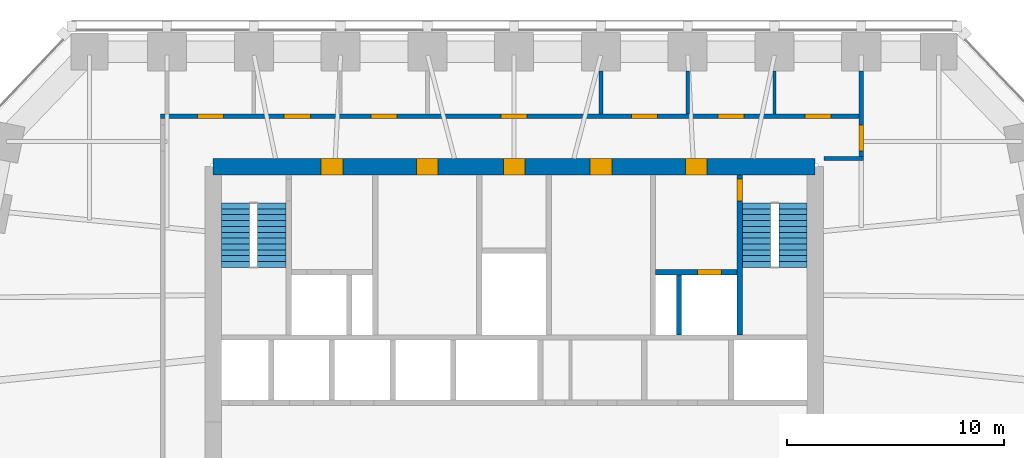
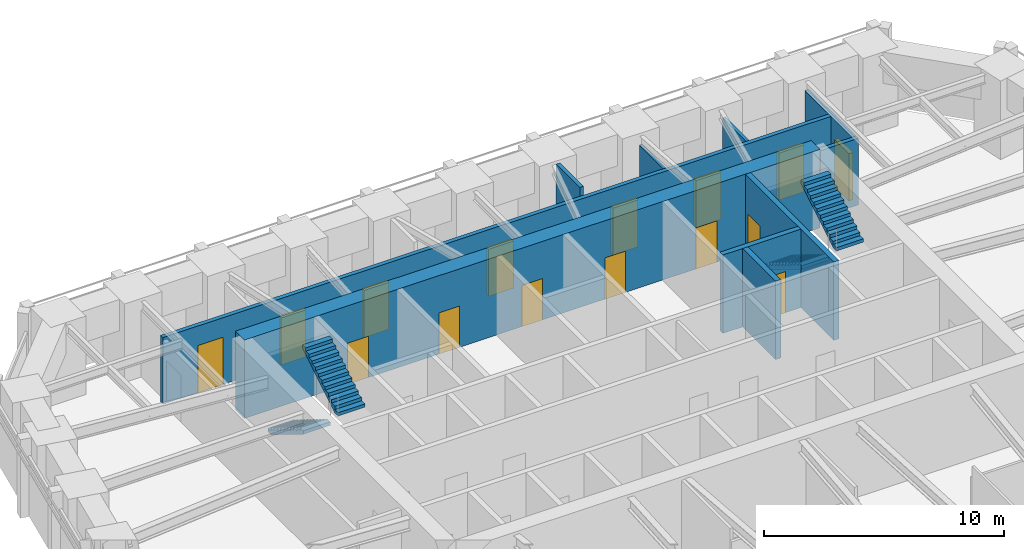
# One storey, part 7 of 9: 15 doors, 10 walls, 4 stair flights, 15 openings, 2 elements without a shape of their own.
"""IFC4 building model written with IfcOpenShell, lengths in metres."""

from ifc_helpers import new_model, si_unit, direction, frame, frame_2d, origin, place, context, subcontext, project, spatial, polyline, rectangle, outline, extrude, material, layer, layer_set, type_object, element, fill, aggregate, save


model = new_model("IFC4")

# Units and contexts
model_context = context("Model", 3, precision=1e-05, world=origin(), true_north=direction((0.0, 1.0)))
body_context = subcontext(model_context, "Body", "Model", "MODEL_VIEW")
ifc_project = project(units=[si_unit("LENGTHUNIT", "METRE"), si_unit("AREAUNIT", "SQUARE_METRE"), si_unit("VOLUMEUNIT", "CUBIC_METRE"), si_unit("PLANEANGLEUNIT", "RADIAN"), si_unit("MASSUNIT", "GRAM", prefix="KILO")], contexts=[model_context])

# Site, building, storey
site_placement = place(None, origin())
site = spatial("IfcSite", under=ifc_project, at=site_placement, CompositionType="ELEMENT")
building_placement = place(site_placement, origin())
building = spatial("IfcBuilding", under=site, at=building_placement, Name="Isbrekke Arena Tower", CompositionType="ELEMENT")
storey_placement = place(building_placement, frame((0.0, 0.0, 135.0)))
storey = spatial("IfcBuildingStorey", under=building, at=storey_placement, Name="L30", CompositionType="ELEMENT", Elevation=135.0)

# Wall, openings, doors
ifc_material_1 = material(Name="Concrete B55 (C55/67)", Category="concrete")
ifc_layer_1 = layer(ifc_material_1, 0.75)
ifc_layer_set_1 = layer_set([ifc_layer_1], Name="CW3 CORE WALL 750")
wall_type_1 = type_object("IfcWallType", Name="CW3 CORE WALL 750", PredefinedType="SHEAR", material=ifc_layer_set_1)
wall_1_placement = place(storey_placement, frame((13.875, 23.875, 0.0), z_axis=(0.0, 0.0, 1.0), x_axis=(-1.0, 0.0, 0.0)))
wall_1 = element("IfcWall", 1, at=wall_1_placement, inside=storey, type_object=wall_type_1, Name="Core wall N L30", PredefinedType="SHEAR", context=body_context, shape_type="SweptSolid", body=[
    extrude(rectangle(XDim=27.75, YDim=0.75, at=frame_2d((13.875, 0.0))), origin(), (0.0, 0.0, 1.0), 4.0),
])
opening_1_placement = place(wall_1_placement, frame((21.77490234375, 0.0, 0.0)))
opening_1 = element("IfcOpeningElement", 2, at=opening_1_placement, cuts=wall_1, Name="Opening D3", PredefinedType="OPENING", context=body_context, shape_type="SweptSolid", body=[
    extrude(rectangle(XDim=1.0, YDim=2.10009765625, at=frame_2d((0.5, 1.050048828125))), frame((0.0, 0.389892578125, 0.0), z_axis=(0.0, -1.0, 0.0), x_axis=(1.0, 0.0, 0.0)), (0.0, 0.0, 1.0), 0.77978515625),
])
opening_2_placement = place(wall_1_placement, frame((4.97509765625, 0.0, 0.0)))
opening_2 = element("IfcOpeningElement", 3, at=opening_2_placement, cuts=wall_1, Name="Opening D3", PredefinedType="OPENING", context=body_context, shape_type="SweptSolid", body=[
    extrude(rectangle(XDim=1.0, YDim=2.10009765625, at=frame_2d((0.5, 1.050048828125))), frame((0.0, 0.389892578125, 0.0), z_axis=(0.0, -1.0, 0.0), x_axis=(1.0, 0.0, 0.0)), (0.0, 0.0, 1.0), 0.77978515625),
])
opening_3_placement = place(wall_1_placement, frame((17.375, 0.0, 0.0)))
opening_3 = element("IfcOpeningElement", 4, at=opening_3_placement, cuts=wall_1, Name="Opening D4", PredefinedType="OPENING", context=body_context, shape_type="SweptSolid", body=[
    extrude(rectangle(XDim=1.0, YDim=2.10009765625, at=frame_2d((0.5, 1.050048828125))), frame((0.0, 0.389892578125, 0.0), z_axis=(0.0, -1.0, 0.0), x_axis=(1.0, 0.0, 0.0)), (0.0, 0.0, 1.0), 0.77978515625),
])
opening_4_placement = place(wall_1_placement, frame((13.375, 0.0, 0.0)))
opening_4 = element("IfcOpeningElement", 5, at=opening_4_placement, cuts=wall_1, Name="Opening D4", PredefinedType="OPENING", context=body_context, shape_type="SweptSolid", body=[
    extrude(rectangle(XDim=1.0, YDim=2.10009765625, at=frame_2d((0.5, 1.050048828125))), frame((0.0, 0.389892578125, 0.0), z_axis=(0.0, -1.0, 0.0), x_axis=(1.0, 0.0, 0.0)), (0.0, 0.0, 1.0), 0.77978515625),
])
opening_5_placement = place(wall_1_placement, frame((9.375, 0.0, 0.0)))
opening_5 = element("IfcOpeningElement", 6, at=opening_5_placement, cuts=wall_1, Name="Opening D4", PredefinedType="OPENING", context=body_context, shape_type="SweptSolid", body=[
    extrude(rectangle(XDim=1.0, YDim=2.10009765625, at=frame_2d((0.5, 1.050048828125))), frame((0.0, 0.389892578125, 0.0), z_axis=(0.0, -1.0, 0.0), x_axis=(1.0, 0.0, 0.0)), (0.0, 0.0, 1.0), 0.77978515625),
])
ifc_material_2 = material(Name="Steel fire door", Category="steel")
door_type_1 = type_object("IfcDoorType", Name="D3 FIRE LOBBY DOOR 1000 x 2100", OperationType="SINGLE_SWING_RIGHT", PredefinedType="DOOR", material=ifc_material_2)
door_1_placement = place(opening_1_placement, origin())
door_1 = element("IfcDoor", 7, at=door_1_placement, inside=storey, type_object=door_type_1, Name="D3 fire-fighting lobby door L30", OperationType="SINGLE_SWING_RIGHT", OverallHeight=2.10009765625, OverallWidth=1.0, PredefinedType="DOOR", context=body_context, shape_type="SweptSolid", body=[
    extrude(rectangle(XDim=1.0, YDim=2.10009765625, at=frame_2d((0.5, 1.050048828125))), frame((0.0, 0.374755859375, 0.0), z_axis=(0.0, -1.0, 0.0), x_axis=(1.0, 0.0, 0.0)), (0.0, 0.0, 1.0), 0.74951171875),
])
fill(opening_1, door_1)
door_2_placement = place(opening_2_placement, origin())
door_2 = element("IfcDoor", 8, at=door_2_placement, inside=storey, type_object=door_type_1, Name="D3 fire-fighting lobby door L30", OperationType="SINGLE_SWING_RIGHT", OverallHeight=2.10009765625, OverallWidth=1.0, PredefinedType="DOOR", context=body_context, shape_type="SweptSolid", body=[
    extrude(rectangle(XDim=1.0, YDim=2.10009765625, at=frame_2d((0.5, 1.050048828125))), frame((0.0, 0.374755859375, 0.0), z_axis=(0.0, -1.0, 0.0), x_axis=(1.0, 0.0, 0.0)), (0.0, 0.0, 1.0), 0.74951171875),
])
fill(opening_2, door_2)
ifc_material_3 = material(Name="Timber door", Category="wood")
door_type_2 = type_object("IfcDoorType", Name="D4 WC DOOR 1000 x 2100", OperationType="SINGLE_SWING_LEFT", PredefinedType="DOOR", material=ifc_material_3)
door_3_placement = place(opening_3_placement, origin())
door_3 = element("IfcDoor", 9, at=door_3_placement, inside=storey, type_object=door_type_2, Name="D4 wc female door L30", OperationType="SINGLE_SWING_LEFT", OverallHeight=2.10009765625, OverallWidth=1.0, PredefinedType="DOOR", context=body_context, shape_type="SweptSolid", body=[
    extrude(rectangle(XDim=1.0, YDim=2.10009765625, at=frame_2d((0.5, 1.050048828125))), frame((0.0, 0.374755859375, 0.0), z_axis=(0.0, -1.0, 0.0), x_axis=(1.0, 0.0, 0.0)), (0.0, 0.0, 1.0), 0.74951171875),
])
fill(opening_3, door_3)
door_4_placement = place(opening_4_placement, origin())
door_4 = element("IfcDoor", 10, at=door_4_placement, inside=storey, type_object=door_type_2, Name="D4 accessible wc door L30", OperationType="SINGLE_SWING_LEFT", OverallHeight=2.10009765625, OverallWidth=1.0, PredefinedType="DOOR", context=body_context, shape_type="SweptSolid", body=[
    extrude(rectangle(XDim=1.0, YDim=2.10009765625, at=frame_2d((0.5, 1.050048828125))), frame((0.0, 0.374755859375, 0.0), z_axis=(0.0, -1.0, 0.0), x_axis=(1.0, 0.0, 0.0)), (0.0, 0.0, 1.0), 0.74951171875),
])
fill(opening_4, door_4)
door_5_placement = place(opening_5_placement, origin())
door_5 = element("IfcDoor", 11, at=door_5_placement, inside=storey, type_object=door_type_2, Name="D4 wc male door L30", OperationType="SINGLE_SWING_LEFT", OverallHeight=2.10009765625, OverallWidth=1.0, PredefinedType="DOOR", context=body_context, shape_type="SweptSolid", body=[
    extrude(rectangle(XDim=1.0, YDim=2.10009765625, at=frame_2d((0.5, 1.050048828125))), frame((0.0, 0.374755859375, 0.0), z_axis=(0.0, -1.0, 0.0), x_axis=(1.0, 0.0, 0.0)), (0.0, 0.0, 1.0), 0.74951171875),
])
fill(opening_5, door_5)

# Wall, opening, door
ifc_material_4 = material(Name="Concrete B45 (C45/55)", Category="concrete")
ifc_layer_2 = layer(ifc_material_4, 0.25)
ifc_layer_set_2 = layer_set([ifc_layer_2], Name="CW6 SHAFT WALL 250")
wall_type_2 = type_object("IfcWallType", Name="CW6 SHAFT WALL 250", PredefinedType="SHEAR", material=ifc_layer_set_2)
wall_2_placement = place(storey_placement, frame((10.39990234375, 16.125, 0.0), z_axis=(0.0, 0.0, 1.0), x_axis=(0.0, 1.0, 0.0)))
wall_2 = element("IfcWall", 12, at=wall_2_placement, inside=storey, type_object=wall_type_2, Name="Core wall NV06 L30", PredefinedType="SHEAR", context=body_context, shape_type="SweptSolid", body=[
    extrude(rectangle(XDim=7.375, YDim=0.25, at=frame_2d((3.6875, 0.0))), origin(), (0.0, 0.0, 1.0), 4.0),
])
opening_6_placement = place(wall_2_placement, frame((6.175048828125, 0.0, 0.0)))
opening_6 = element("IfcOpeningElement", 13, at=opening_6_placement, cuts=wall_2, Name="Opening D2", PredefinedType="OPENING", context=body_context, shape_type="SweptSolid", body=[
    extrude(rectangle(XDim=1.0, YDim=2.10009765625, at=frame_2d((0.5, 1.050048828125))), frame((0.0, 0.139892578125, 0.0), z_axis=(0.0, -1.0, 0.0), x_axis=(1.0, 0.0, 0.0)), (0.0, 0.0, 1.0), 0.27978515625),
])
ifc_material_5 = material(Name="Steel fire door", Category="steel")
door_type_3 = type_object("IfcDoorType", Name="D2 STAIR DOOR 1000 x 2100", OperationType="SINGLE_SWING_LEFT", PredefinedType="DOOR", material=ifc_material_5)
door_6_placement = place(opening_6_placement, origin())
door_6 = element("IfcDoor", 14, at=door_6_placement, inside=storey, type_object=door_type_3, Name="D2 stair door ST2 L30", OperationType="SINGLE_SWING_LEFT", OverallHeight=2.10009765625, OverallWidth=1.0, PredefinedType="DOOR", context=body_context, shape_type="SweptSolid", body=[
    extrude(rectangle(XDim=1.0, YDim=2.10009765625, at=frame_2d((0.5, 1.050048828125))), frame((0.0, 0.124755859375, 0.0), z_axis=(0.0, -1.0, 0.0), x_axis=(1.0, 0.0, 0.0)), (0.0, 0.0, 1.0), 0.24951171875),
])
fill(opening_6, door_6)

wall_3_placement = place(storey_placement, frame((6.52490234375, 19.0, 0.0), z_axis=(0.0, 0.0, 1.0), x_axis=(1.0, 0.0, 0.0)))
wall_3 = element("IfcWall", 15, at=wall_3_placement, inside=storey, type_object=wall_type_2, Name="Core wall NFE L30", PredefinedType="SHEAR", context=body_context, shape_type="SweptSolid", body=[
    extrude(rectangle(XDim=3.75, YDim=0.25, at=frame_2d((1.875, 0.0))), origin(), (0.0, 0.0, 1.0), 4.0),
])
opening_7_placement = place(wall_3_placement, frame((1.925048828125, 0.0, 0.0)))
opening_7 = element("IfcOpeningElement", 16, at=opening_7_placement, cuts=wall_3, Name="Opening LD2", PredefinedType="OPENING", context=body_context, shape_type="SweptSolid", body=[
    extrude(rectangle(XDim=1.10009765625, YDim=2.10009765625, at=frame_2d((0.550048828125, 1.050048828125))), frame((0.0, 0.139892578125, 0.0), z_axis=(0.0, -1.0, 0.0), x_axis=(1.0, 0.0, 0.0)), (0.0, 0.0, 1.0), 0.27978515625),
])
ifc_material_6 = material(Name="Stainless steel lift landing door", Category="steel")
door_type_4 = type_object("IfcDoorType", Name="LD2 FIRE-FIGHTING LIFT LANDING DOOR 1100 x 2100", OperationType="SLIDING_TO_RIGHT", PredefinedType="DOOR", material=ifc_material_6)
door_7_placement = place(opening_7_placement, origin())
door_7 = element("IfcDoor", 17, at=door_7_placement, inside=storey, type_object=door_type_4, Name="LD2 lift landing door LF L30", OperationType="SLIDING_TO_RIGHT", OverallHeight=2.10009765625, OverallWidth=1.10009765625, PredefinedType="DOOR", context=body_context, shape_type="SweptSolid", body=[
    extrude(rectangle(XDim=1.10009765625, YDim=2.10009765625, at=frame_2d((0.550048828125, 1.050048828125))), frame((0.0, 0.124755859375, 0.0), z_axis=(0.0, -1.0, 0.0), x_axis=(1.0, 0.0, 0.0)), (0.0, 0.0, 1.0), 0.24951171875),
])
fill(opening_7, door_7)

# Walls
wall_4_placement = place(storey_placement, frame((7.60009765625, 16.125, 0.0), z_axis=(0.0, 0.0, 1.0), x_axis=(0.0, 1.0, 0.0)))
element("IfcWall", 18, at=wall_4_placement, inside=storey, type_object=wall_type_2, Name="Core wall NFS2 L30", PredefinedType="SHEAR", context=body_context, shape_type="SweptSolid", body=[
    extrude(rectangle(XDim=2.75, YDim=0.25, at=frame_2d((1.375, 0.0))), origin(), (0.0, 0.0, 1.0), 4.0),
])
ifc_material_7 = material(Name="Gypsum board partition on steel studs", Category="steel")
ifc_layer_3 = layer(ifc_material_7, 0.14990234375)
ifc_layer_set_3 = layer_set([ifc_layer_3], Name="IW1 PARTITION 150")
wall_type_3 = type_object("IfcWallType", Name="IW1 PARTITION 150", PredefinedType="PARTITIONING", material=ifc_layer_set_3)
for number, where, z_axis, x_axis, name in (
    (19, (8.0, 26.300048828125, 0.0), (0.0, 0.0, 1.0), (0.0, 1.0, 0.0), "IW1 partition 150 L30"),
    (20, (12.0, 26.300048828125, 0.0), (0.0, 0.0, 1.0), (0.0, 1.0, 0.0), "IW1 partition 150 L30"),
):
    element("IfcWall", number, at=place(storey_placement, frame(where, z_axis=z_axis, x_axis=x_axis)), inside=storey, type_object=wall_type_3, Name=name, PredefinedType="PARTITIONING", context=body_context, shape_type="SweptSolid", body=[
        extrude(rectangle(XDim=1.974853515625, YDim=0.14990234375, at=frame_2d((0.9873046875, 0.0))), origin(), (0.0, 0.0, 1.0), 3.39990234375),
    ])
ifc_material_8 = material(Name="Gypsum board fire-cell wall on steel studs, two layers each side", Category="steel")
ifc_layer_4 = layer(ifc_material_8, 0.199951171875)
ifc_layer_set_4 = layer_set([ifc_layer_4], Name="IW3 FIRE-CELL WALL 200")
wall_type_4 = type_object("IfcWallType", Name="IW3 FIRE-CELL WALL 200", PredefinedType="PARTITIONING", material=ifc_layer_set_4)
wall_5_placement = place(storey_placement, frame((14.280029296875, 24.25, 0.0), z_axis=(0.0, 0.0, 1.0), x_axis=(1.0, 0.0, 0.0)))
element("IfcWall", 21, at=wall_5_placement, inside=storey, type_object=wall_type_4, Name="IW3 fire-cell wall 200 L30", PredefinedType="PARTITIONING", context=body_context, shape_type="SweptSolid", body=[
    extrude(rectangle(XDim=1.820068359375, YDim=0.199951171875, at=frame_2d((0.91015625, 0.0))), origin(), (0.0, 0.0, 1.0), 3.39990234375),
])

# Wall, openings, doors
wall_6_placement = place(storey_placement, frame((-16.300048828125, 26.199951171875, 0.0), z_axis=(0.0, 0.0, 1.0), x_axis=(1.0, 0.0, 0.0)))
wall_6 = element("IfcWall", 22, at=wall_6_placement, inside=storey, type_object=wall_type_4, Name="IW3 fire-cell wall 200 L30", PredefinedType="PARTITIONING", context=body_context, shape_type="SweptSolid", body=[
    extrude(rectangle(XDim=32.199951171875, YDim=0.199951171875, at=frame_2d((16.10009765625, 0.0))), origin(), (0.0, 0.0, 1.0), 3.39990234375),
])
opening_8_placement = place(wall_6_placement, frame((1.699951171875, 0.0, 0.0)))
opening_8 = element("IfcOpeningElement", 23, at=opening_8_placement, cuts=wall_6, Name="Opening D12", PredefinedType="OPENING", context=body_context, shape_type="SweptSolid", body=[
    extrude(rectangle(XDim=1.199951171875, YDim=2.39990234375, at=frame_2d((0.60009765625, 1.199951171875))), frame((0.0, 0.11474609375, 0.0), z_axis=(0.0, -1.0, 0.0), x_axis=(1.0, 0.0, 0.0)), (0.0, 0.0, 1.0), 0.229736328125),
])
opening_9_placement = place(wall_6_placement, frame((5.699951171875, 0.0, 0.0)))
opening_9 = element("IfcOpeningElement", 24, at=opening_9_placement, cuts=wall_6, Name="Opening D12", PredefinedType="OPENING", context=body_context, shape_type="SweptSolid", body=[
    extrude(rectangle(XDim=1.199951171875, YDim=2.39990234375, at=frame_2d((0.60009765625, 1.199951171875))), frame((0.0, 0.11474609375, 0.0), z_axis=(0.0, -1.0, 0.0), x_axis=(1.0, 0.0, 0.0)), (0.0, 0.0, 1.0), 0.229736328125),
])
opening_10_placement = place(wall_6_placement, frame((9.699951171875, 0.0, 0.0)))
opening_10 = element("IfcOpeningElement", 25, at=opening_10_placement, cuts=wall_6, Name="Opening D12", PredefinedType="OPENING", context=body_context, shape_type="SweptSolid", body=[
    extrude(rectangle(XDim=1.199951171875, YDim=2.39990234375, at=frame_2d((0.60009765625, 1.199951171875))), frame((0.0, 0.11474609375, 0.0), z_axis=(0.0, -1.0, 0.0), x_axis=(1.0, 0.0, 0.0)), (0.0, 0.0, 1.0), 0.229736328125),
])
opening_11_placement = place(wall_6_placement, frame((15.699951171875, 0.0, 0.0)))
opening_11 = element("IfcOpeningElement", 26, at=opening_11_placement, cuts=wall_6, Name="Opening D12", PredefinedType="OPENING", context=body_context, shape_type="SweptSolid", body=[
    extrude(rectangle(XDim=1.199951171875, YDim=2.39990234375, at=frame_2d((0.60009765625, 1.199951171875))), frame((0.0, 0.11474609375, 0.0), z_axis=(0.0, -1.0, 0.0), x_axis=(1.0, 0.0, 0.0)), (0.0, 0.0, 1.0), 0.229736328125),
])
opening_12_placement = place(wall_6_placement, frame((21.699951171875, 0.0, 0.0)))
opening_12 = element("IfcOpeningElement", 27, at=opening_12_placement, cuts=wall_6, Name="Opening D12", PredefinedType="OPENING", context=body_context, shape_type="SweptSolid", body=[
    extrude(rectangle(XDim=1.199951171875, YDim=2.39990234375, at=frame_2d((0.60009765625, 1.199951171875))), frame((0.0, 0.11474609375, 0.0), z_axis=(0.0, -1.0, 0.0), x_axis=(1.0, 0.0, 0.0)), (0.0, 0.0, 1.0), 0.229736328125),
])
opening_13_placement = place(wall_6_placement, frame((25.699951171875, 0.0, 0.0)))
opening_13 = element("IfcOpeningElement", 28, at=opening_13_placement, cuts=wall_6, Name="Opening D12", PredefinedType="OPENING", context=body_context, shape_type="SweptSolid", body=[
    extrude(rectangle(XDim=1.199951171875, YDim=2.39990234375, at=frame_2d((0.60009765625, 1.199951171875))), frame((0.0, 0.11474609375, 0.0), z_axis=(0.0, -1.0, 0.0), x_axis=(1.0, 0.0, 0.0)), (0.0, 0.0, 1.0), 0.229736328125),
])
opening_14_placement = place(wall_6_placement, frame((29.699951171875, 0.0, 0.0)))
opening_14 = element("IfcOpeningElement", 29, at=opening_14_placement, cuts=wall_6, Name="Opening D12", PredefinedType="OPENING", context=body_context, shape_type="SweptSolid", body=[
    extrude(rectangle(XDim=1.199951171875, YDim=2.39990234375, at=frame_2d((0.60009765625, 1.199951171875))), frame((0.0, 0.11474609375, 0.0), z_axis=(0.0, -1.0, 0.0), x_axis=(1.0, 0.0, 0.0)), (0.0, 0.0, 1.0), 0.229736328125),
])
ifc_material_9 = material(Name="Timber fire door with vision panel", Category="wood")
door_type_5 = type_object("IfcDoorType", Name="D12 SUITE ENTRANCE DOOR 1200 x 2400", OperationType="SINGLE_SWING_LEFT", PredefinedType="DOOR", material=ifc_material_9)
door_8_placement = place(opening_8_placement, origin())
door_8 = element("IfcDoor", 30, at=door_8_placement, inside=storey, type_object=door_type_5, Name="D12 office door L30", OperationType="SINGLE_SWING_LEFT", OverallHeight=2.39990234375, OverallWidth=1.199951171875, PredefinedType="DOOR", context=body_context, shape_type="SweptSolid", body=[
    extrude(rectangle(XDim=1.199951171875, YDim=2.39990234375, at=frame_2d((0.60009765625, 1.199951171875))), frame((0.0, 0.099609375, 0.0), z_axis=(0.0, -1.0, 0.0), x_axis=(1.0, 0.0, 0.0)), (0.0, 0.0, 1.0), 0.199462890625),
])
fill(opening_8, door_8)
door_9_placement = place(opening_9_placement, origin())
door_9 = element("IfcDoor", 31, at=door_9_placement, inside=storey, type_object=door_type_5, Name="D12 office door L30", OperationType="SINGLE_SWING_LEFT", OverallHeight=2.39990234375, OverallWidth=1.199951171875, PredefinedType="DOOR", context=body_context, shape_type="SweptSolid", body=[
    extrude(rectangle(XDim=1.199951171875, YDim=2.39990234375, at=frame_2d((0.60009765625, 1.199951171875))), frame((0.0, 0.099609375, 0.0), z_axis=(0.0, -1.0, 0.0), x_axis=(1.0, 0.0, 0.0)), (0.0, 0.0, 1.0), 0.199462890625),
])
fill(opening_9, door_9)
door_10_placement = place(opening_10_placement, origin())
door_10 = element("IfcDoor", 32, at=door_10_placement, inside=storey, type_object=door_type_5, Name="D12 focus room door L30", OperationType="SINGLE_SWING_LEFT", OverallHeight=2.39990234375, OverallWidth=1.199951171875, PredefinedType="DOOR", context=body_context, shape_type="SweptSolid", body=[
    extrude(rectangle(XDim=1.199951171875, YDim=2.39990234375, at=frame_2d((0.60009765625, 1.199951171875))), frame((0.0, 0.099609375, 0.0), z_axis=(0.0, -1.0, 0.0), x_axis=(1.0, 0.0, 0.0)), (0.0, 0.0, 1.0), 0.199462890625),
])
fill(opening_10, door_10)
door_11_placement = place(opening_11_placement, origin())
door_11 = element("IfcDoor", 33, at=door_11_placement, inside=storey, type_object=door_type_5, Name="D12 meeting room door L30", OperationType="SINGLE_SWING_LEFT", OverallHeight=2.39990234375, OverallWidth=1.199951171875, PredefinedType="DOOR", context=body_context, shape_type="SweptSolid", body=[
    extrude(rectangle(XDim=1.199951171875, YDim=2.39990234375, at=frame_2d((0.60009765625, 1.199951171875))), frame((0.0, 0.099609375, 0.0), z_axis=(0.0, -1.0, 0.0), x_axis=(1.0, 0.0, 0.0)), (0.0, 0.0, 1.0), 0.199462890625),
])
fill(opening_11, door_11)
door_12_placement = place(opening_12_placement, origin())
door_12 = element("IfcDoor", 34, at=door_12_placement, inside=storey, type_object=door_type_5, Name="D12 focus room door L30", OperationType="SINGLE_SWING_LEFT", OverallHeight=2.39990234375, OverallWidth=1.199951171875, PredefinedType="DOOR", context=body_context, shape_type="SweptSolid", body=[
    extrude(rectangle(XDim=1.199951171875, YDim=2.39990234375, at=frame_2d((0.60009765625, 1.199951171875))), frame((0.0, 0.099609375, 0.0), z_axis=(0.0, -1.0, 0.0), x_axis=(1.0, 0.0, 0.0)), (0.0, 0.0, 1.0), 0.199462890625),
])
fill(opening_12, door_12)
door_13_placement = place(opening_13_placement, origin())
door_13 = element("IfcDoor", 35, at=door_13_placement, inside=storey, type_object=door_type_5, Name="D12 office door L30", OperationType="SINGLE_SWING_LEFT", OverallHeight=2.39990234375, OverallWidth=1.199951171875, PredefinedType="DOOR", context=body_context, shape_type="SweptSolid", body=[
    extrude(rectangle(XDim=1.199951171875, YDim=2.39990234375, at=frame_2d((0.60009765625, 1.199951171875))), frame((0.0, 0.099609375, 0.0), z_axis=(0.0, -1.0, 0.0), x_axis=(1.0, 0.0, 0.0)), (0.0, 0.0, 1.0), 0.199462890625),
])
fill(opening_13, door_13)
door_14_placement = place(opening_14_placement, origin())
door_14 = element("IfcDoor", 36, at=door_14_placement, inside=storey, type_object=door_type_5, Name="D12 office door L30", OperationType="SINGLE_SWING_LEFT", OverallHeight=2.39990234375, OverallWidth=1.199951171875, PredefinedType="DOOR", context=body_context, shape_type="SweptSolid", body=[
    extrude(rectangle(XDim=1.199951171875, YDim=2.39990234375, at=frame_2d((0.60009765625, 1.199951171875))), frame((0.0, 0.099609375, 0.0), z_axis=(0.0, -1.0, 0.0), x_axis=(1.0, 0.0, 0.0)), (0.0, 0.0, 1.0), 0.199462890625),
])
fill(opening_14, door_14)

# Wall, opening, door
wall_7_placement = place(storey_placement, frame((16.0, 24.35009765625, 0.0), z_axis=(0.0, 0.0, 1.0), x_axis=(0.0, 1.0, 0.0)))
wall_7 = element("IfcWall", 37, at=wall_7_placement, inside=storey, type_object=wall_type_4, Name="IW3 fire-cell wall 200 L30", PredefinedType="PARTITIONING", context=body_context, shape_type="SweptSolid", body=[
    extrude(rectangle(XDim=3.9248046875, YDim=0.199951171875, at=frame_2d((1.96240234375, 0.0))), origin(), (0.0, 0.0, 1.0), 3.39990234375),
])
opening_15_placement = place(wall_7_placement, frame((0.25, 0.0, 0.0)))
opening_15 = element("IfcOpeningElement", 38, at=opening_15_placement, cuts=wall_7, Name="Opening D12", PredefinedType="OPENING", context=body_context, shape_type="SweptSolid", body=[
    extrude(rectangle(XDim=1.199951171875, YDim=2.39990234375, at=frame_2d((0.60009765625, 1.199951171875))), frame((0.0, 0.11474609375, 0.0), z_axis=(0.0, -1.0, 0.0), x_axis=(1.0, 0.0, 0.0)), (0.0, 0.0, 1.0), 0.229736328125),
])
door_15_placement = place(opening_15_placement, origin())
door_15 = element("IfcDoor", 39, at=door_15_placement, inside=storey, type_object=door_type_5, Name="D12 suite entrance A door L30", OperationType="SINGLE_SWING_LEFT", OverallHeight=2.39990234375, OverallWidth=1.199951171875, PredefinedType="DOOR", context=body_context, shape_type="SweptSolid", body=[
    extrude(rectangle(XDim=1.199951171875, YDim=2.39990234375, at=frame_2d((0.60009765625, 1.199951171875))), frame((0.0, 0.099609375, 0.0), z_axis=(0.0, -1.0, 0.0), x_axis=(1.0, 0.0, 0.0)), (0.0, 0.0, 1.0), 0.199462890625),
])
fill(opening_15, door_15)

# Wall
ifc_material_10 = material(Name="Gypsum board acoustic partition on twin steel studs", Category="steel")
ifc_layer_5 = layer(ifc_material_10, 0.175048828125)
ifc_layer_set_5 = layer_set([ifc_layer_5], Name="IW4 ACOUSTIC PARTITION 175")
wall_type_5 = type_object("IfcWallType", Name="IW4 ACOUSTIC PARTITION 175", PredefinedType="PARTITIONING", material=ifc_layer_set_5)
wall_8_placement = place(storey_placement, frame((4.0, 26.300048828125, 0.0), z_axis=(0.0, 0.0, 1.0), x_axis=(0.0, 1.0, 0.0)))
element("IfcWall", 40, at=wall_8_placement, inside=storey, type_object=wall_type_5, Name="IW4 acoustic partition 175 L30", PredefinedType="PARTITIONING", context=body_context, shape_type="SweptSolid", body=[
    extrude(rectangle(XDim=1.974853515625, YDim=0.175048828125, at=frame_2d((0.9873046875, 0.0))), origin(), (0.0, 0.0, 1.0), 3.85009765625),
])

# Stair, stair flights
ifc_material_11 = material(Name="Concrete B45 (C45/55) precast", Category="concrete")
stair_type = type_object("IfcStairType", Name="ST40 STAIR 1300 WIDE, 24 RISERS 167", PredefinedType="HALF_TURN_STAIR", material=ifc_material_11)
stair_1_placement = place(storey_placement, origin())
stair_1 = element("IfcStair", 41, at=stair_1_placement, inside=storey, type_object=stair_type, Name="ST1 stair L30", PredefinedType="HALF_TURN_STAIR")
ifc_material_12 = material(Name="Concrete B45 (C45/55) precast", Category="concrete")
stair_flight_type = type_object("IfcStairFlightType", Name="SF 1300 FLIGHT", PredefinedType="STRAIGHT", material=ifc_material_12)
stair_flight_1_placement = place(storey_placement, frame((-12.85009765625, 22.199951171875, 0.0), z_axis=(0.0, 0.0, 1.0), x_axis=(0.0, -1.0, 0.0)))
stair_flight_1 = element("IfcStairFlight", 42, at=stair_flight_1_placement, type_object=stair_flight_type, Name="ST1 flight 1", NumberOfRisers=12, NumberOfTreads=11, PredefinedType="STRAIGHT", RiserHeight=0.166666667, TreadLength=0.27, context=body_context, shape_type="SweptSolid", body=[
    extrude(outline(polyline([(0.0, 0.0), (0.0, 0.166748046875), (0.27001953125, 0.166748046875), (0.27001953125, 0.333251953125), (0.5400390625, 0.333251953125), (0.5400390625, 0.5), (0.81005859375, 0.5), (0.81005859375, 0.666748046875), (1.080078125, 0.666748046875), (1.080078125, 0.833251953125), (1.35009765625, 0.833251953125), (1.35009765625, 1.0), (1.6201171875, 1.0), (1.6201171875, 1.166748046875), (1.889892578125, 1.166748046875), (1.889892578125, 1.333251953125), (2.159912109375, 1.333251953125), (2.159912109375, 1.5), (2.429931640625, 1.5), (2.429931640625, 1.666748046875), (2.699951171875, 1.666748046875), (2.699951171875, 1.833251953125), (2.969970703125, 1.833251953125), (2.969970703125, 2.0), (2.969970703125, 1.6572265625), (0.285400390625, 0.0), (0.0, 0.0)])), frame((0.0, 0.64990234375, 0.0), z_axis=(0.0, -1.0, 0.0), x_axis=(1.0, 0.0, 0.0)), (0.0, 0.0, 1.0), 1.300048828125),
])
stair_flight_2_placement = place(storey_placement, frame((-11.175048828125, 19.22998046875, 2.0), z_axis=(0.0, 0.0, 1.0), x_axis=(0.0, 1.0, 0.0)))
stair_flight_2 = element("IfcStairFlight", 43, at=stair_flight_2_placement, type_object=stair_flight_type, Name="ST1 flight 2", NumberOfRisers=12, NumberOfTreads=11, PredefinedType="STRAIGHT", RiserHeight=0.166666667, TreadLength=0.27, context=body_context, shape_type="SweptSolid", body=[
    extrude(outline(polyline([(0.0, 0.0), (0.0, 0.166748046875), (0.27001953125, 0.166748046875), (0.27001953125, 0.333251953125), (0.5400390625, 0.333251953125), (0.5400390625, 0.5), (0.81005859375, 0.5), (0.81005859375, 0.666748046875), (1.080078125, 0.666748046875), (1.080078125, 0.833251953125), (1.35009765625, 0.833251953125), (1.35009765625, 1.0), (1.6201171875, 1.0), (1.6201171875, 1.166748046875), (1.889892578125, 1.166748046875), (1.889892578125, 1.333251953125), (2.159912109375, 1.333251953125), (2.159912109375, 1.5), (2.429931640625, 1.5), (2.429931640625, 1.666748046875), (2.699951171875, 1.666748046875), (2.699951171875, 1.833251953125), (2.969970703125, 1.833251953125), (2.969970703125, 2.0), (2.969970703125, 1.6572265625), (0.285400390625, 0.0), (0.0, 0.0)])), frame((0.0, 0.64990234375, 0.0), z_axis=(0.0, -1.0, 0.0), x_axis=(1.0, 0.0, 0.0)), (0.0, 0.0, 1.0), 1.300048828125),
])
aggregate(stair_1, [stair_flight_1, stair_flight_2])

stair_2_placement = place(storey_placement, origin())
stair_2 = element("IfcStair", 44, at=stair_2_placement, inside=storey, type_object=stair_type, Name="ST2 stair L30", PredefinedType="HALF_TURN_STAIR")
stair_flight_3_placement = place(storey_placement, frame((11.175048828125, 22.199951171875, 0.0), z_axis=(0.0, 0.0, 1.0), x_axis=(0.0, -1.0, 0.0)))
stair_flight_3 = element("IfcStairFlight", 45, at=stair_flight_3_placement, type_object=stair_flight_type, Name="ST2 flight 1", NumberOfRisers=12, NumberOfTreads=11, PredefinedType="STRAIGHT", RiserHeight=0.166666667, TreadLength=0.27, context=body_context, shape_type="SweptSolid", body=[
    extrude(outline(polyline([(0.0, 0.0), (0.0, 0.166748046875), (0.27001953125, 0.166748046875), (0.27001953125, 0.333251953125), (0.5400390625, 0.333251953125), (0.5400390625, 0.5), (0.81005859375, 0.5), (0.81005859375, 0.666748046875), (1.080078125, 0.666748046875), (1.080078125, 0.833251953125), (1.35009765625, 0.833251953125), (1.35009765625, 1.0), (1.6201171875, 1.0), (1.6201171875, 1.166748046875), (1.889892578125, 1.166748046875), (1.889892578125, 1.333251953125), (2.159912109375, 1.333251953125), (2.159912109375, 1.5), (2.429931640625, 1.5), (2.429931640625, 1.666748046875), (2.699951171875, 1.666748046875), (2.699951171875, 1.833251953125), (2.969970703125, 1.833251953125), (2.969970703125, 2.0), (2.969970703125, 1.6572265625), (0.285400390625, 0.0), (0.0, 0.0)])), frame((0.0, 0.64990234375, 0.0), z_axis=(0.0, -1.0, 0.0), x_axis=(1.0, 0.0, 0.0)), (0.0, 0.0, 1.0), 1.300048828125),
])
stair_flight_4_placement = place(storey_placement, frame((12.85009765625, 19.22998046875, 2.0), z_axis=(0.0, 0.0, 1.0), x_axis=(0.0, 1.0, 0.0)))
stair_flight_4 = element("IfcStairFlight", 46, at=stair_flight_4_placement, type_object=stair_flight_type, Name="ST2 flight 2", NumberOfRisers=12, NumberOfTreads=11, PredefinedType="STRAIGHT", RiserHeight=0.166666667, TreadLength=0.27, context=body_context, shape_type="SweptSolid", body=[
    extrude(outline(polyline([(0.0, 0.0), (0.0, 0.166748046875), (0.27001953125, 0.166748046875), (0.27001953125, 0.333251953125), (0.5400390625, 0.333251953125), (0.5400390625, 0.5), (0.81005859375, 0.5), (0.81005859375, 0.666748046875), (1.080078125, 0.666748046875), (1.080078125, 0.833251953125), (1.35009765625, 0.833251953125), (1.35009765625, 1.0), (1.6201171875, 1.0), (1.6201171875, 1.166748046875), (1.889892578125, 1.166748046875), (1.889892578125, 1.333251953125), (2.159912109375, 1.333251953125), (2.159912109375, 1.5), (2.429931640625, 1.5), (2.429931640625, 1.666748046875), (2.699951171875, 1.666748046875), (2.699951171875, 1.833251953125), (2.969970703125, 1.833251953125), (2.969970703125, 2.0), (2.969970703125, 1.6572265625), (0.285400390625, 0.0), (0.0, 0.0)])), frame((0.0, 0.64990234375, 0.0), z_axis=(0.0, -1.0, 0.0), x_axis=(1.0, 0.0, 0.0)), (0.0, 0.0, 1.0), 1.300048828125),
])
aggregate(stair_2, [stair_flight_3, stair_flight_4])

save(model, "model.ifc")
